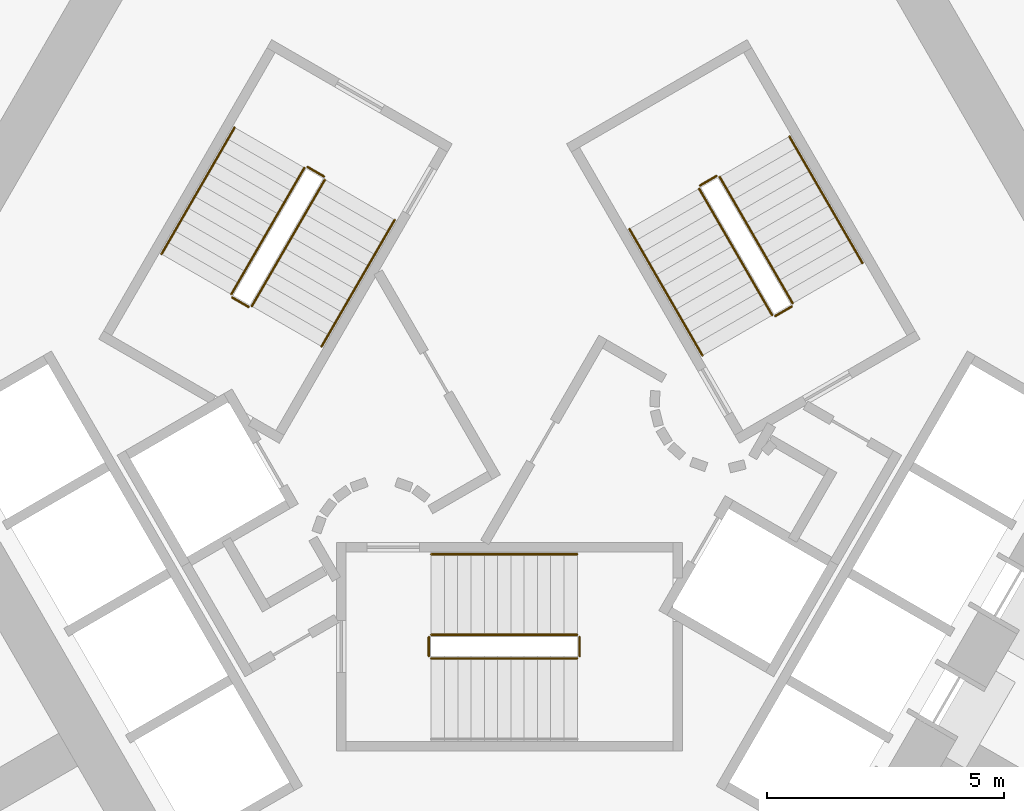
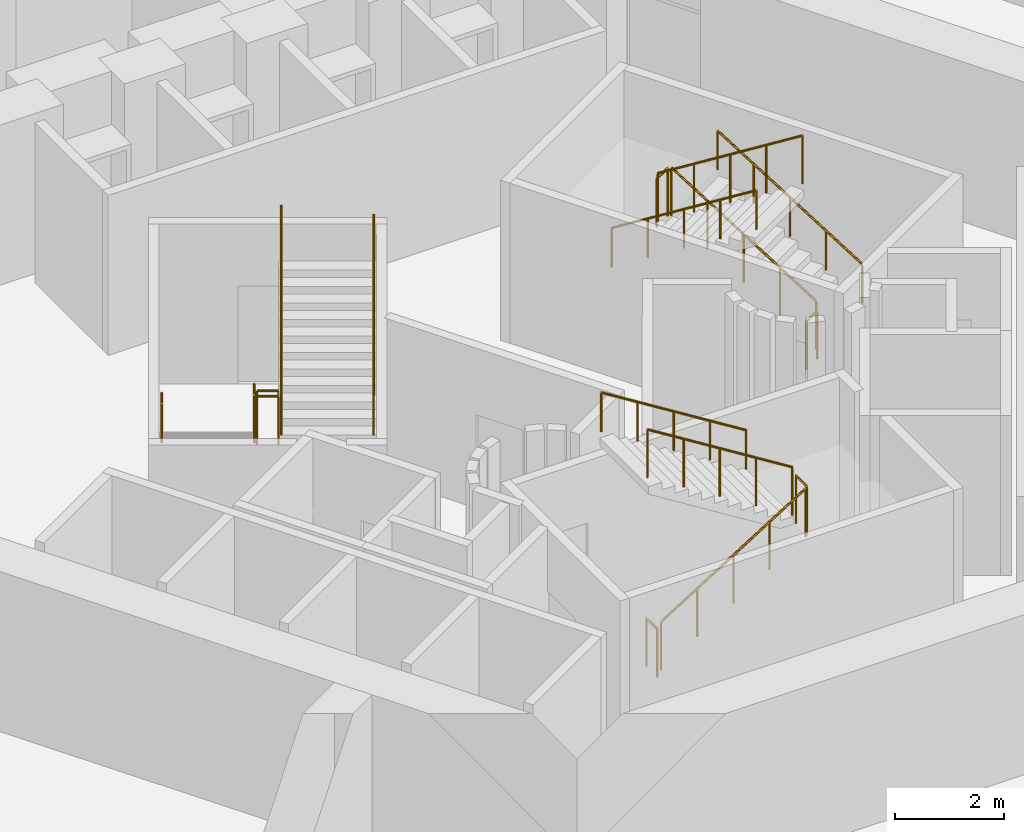
# One storey, part 14 of 15: 17 railings.
"""IFC4 building model written with IfcOpenShell, lengths in metres."""

from ifc_helpers import new_model, si_unit, direction, frame, origin, origin_2d, place, context, subcontext, project, spatial, circle, extrude, material, type_object, element, save


model = new_model("IFC4")

# Units and contexts
model_context = context("Model", 3, precision=1e-05, world=origin(), true_north=direction((0.0, 1.0)))
body_context = subcontext(model_context, "Body", "Model", "MODEL_VIEW")
ifc_project = project(units=[si_unit("LENGTHUNIT", "METRE"), si_unit("AREAUNIT", "SQUARE_METRE"), si_unit("VOLUMEUNIT", "CUBIC_METRE"), si_unit("PLANEANGLEUNIT", "RADIAN"), si_unit("MASSUNIT", "GRAM", prefix="KILO")], contexts=[model_context])

# Site, building, storey
site_placement = place(None, origin())
site = spatial("IfcSite", under=ifc_project, at=site_placement, CompositionType="ELEMENT")
building_placement = place(site_placement, origin())
building = spatial("IfcBuilding", under=site, at=building_placement, Name="Entoto Arch Interchange Tower", CompositionType="ELEMENT")
storey_placement = place(building_placement, frame((0.0, 0.0, 77.0)))
storey = spatial("IfcBuildingStorey", under=building, at=storey_placement, Name="L16", CompositionType="ELEMENT", Elevation=77.0)

# Railings
ifc_material = material(Name="Stainless steel 1.4301", Category="steel")
railing_type_1 = type_object("IfcRailingType", Name="STAIR GUARD 1100 STEEL", PredefinedType="GUARDRAIL", material=ifc_material)
railing_1_placement = place(storey_placement, frame((-1.64990234375, -3.449951171875, 0.175048828125)))
element("IfcRailing", 1, at=railing_1_placement, inside=storey, type_object=railing_type_1, Name="L16 ST-S stair guard 1", PredefinedType="GUARDRAIL", context=body_context, shape_type="SweptSolid", body=[
    extrude(circle(Radius=0.02392578125, at=origin_2d()), frame((0.0, 0.0, 1.076171875), z_axis=(0.847979421464, 0.0, 0.530029150871), x_axis=(0.0, 1.0, 0.0)), (0.0, 0.0, 1.0), 3.632080078125),
    extrude(circle(Radius=0.02099609375, at=origin_2d()), origin(), (0.0, 0.0, 1.0), 1.052001953125),
    extrude(circle(Radius=0.02099609375, at=origin_2d()), frame((0.77001953125, 0.0, 0.481201171875)), (0.0, 0.0, 1.0), 1.052001953125),
    extrude(circle(Radius=0.02099609375, at=origin_2d()), frame((1.5400390625, 0.0, 0.96240234375)), (0.0, 0.0, 1.0), 1.052001953125),
    extrude(circle(Radius=0.02099609375, at=origin_2d()), frame((2.309814453125, 0.0, 1.44384765625)), (0.0, 0.0, 1.0), 1.052001953125),
    extrude(circle(Radius=0.02099609375, at=origin_2d()), frame((3.079833984375, 0.0, 1.925048828125)), (0.0, 0.0, 1.0), 1.052001953125),
])
railing_2_placement = place(storey_placement, frame((1.47998046875, -3.39990234375, 2.10009765625)))
element("IfcRailing", 2, at=railing_2_placement, inside=storey, type_object=railing_type_1, Name="L16 ST-S stair guard 2", PredefinedType="GUARDRAIL", context=body_context, shape_type="SweptSolid", body=[
    extrude(circle(Radius=0.02392578125, at=origin_2d()), frame((0.0, 0.0, 1.076171875), z_axis=(0.0, 1.0, 0.0), x_axis=(-1.0, 0.0, 0.0)), (0.0, 0.0, 1.0), 0.39990234375),
    extrude(circle(Radius=0.02099609375, at=origin_2d()), origin(), (0.0, 0.0, 1.0), 1.052001953125),
    extrude(circle(Radius=0.02099609375, at=origin_2d()), frame((0.0, 0.39990234375, 0.0)), (0.0, 0.0, 1.0), 1.052001953125),
])
railing_3_placement = place(storey_placement, frame((1.429931640625, -2.949951171875, 2.27490234375)))
element("IfcRailing", 3, at=railing_3_placement, inside=storey, type_object=railing_type_1, Name="L16 ST-S stair guard 3", PredefinedType="GUARDRAIL", context=body_context, shape_type="SweptSolid", body=[
    extrude(circle(Radius=0.02392578125, at=origin_2d()), frame((0.0, 0.0, 1.076171875), z_axis=(-0.847979421464, 0.0, 0.530029150871), x_axis=(0.0, -1.0, 0.0)), (0.0, 0.0, 1.0), 3.632080078125),
    extrude(circle(Radius=0.02099609375, at=origin_2d()), origin(), (0.0, 0.0, 1.0), 1.052001953125),
    extrude(circle(Radius=0.02099609375, at=origin_2d()), frame((-0.77001953125, 0.0, 0.481201171875)), (0.0, 0.0, 1.0), 1.052001953125),
    extrude(circle(Radius=0.02099609375, at=origin_2d()), frame((-1.5400390625, 0.0, 0.96240234375)), (0.0, 0.0, 1.0), 1.052001953125),
    extrude(circle(Radius=0.02099609375, at=origin_2d()), frame((-2.309814453125, 0.0, 1.44384765625)), (0.0, 0.0, 1.0), 1.052001953125),
    extrude(circle(Radius=0.02099609375, at=origin_2d()), frame((-3.079833984375, 0.0, 1.925048828125)), (0.0, 0.0, 1.0), 1.052001953125),
])
railing_4_placement = place(storey_placement, frame((-1.699951171875, -3.39990234375, 0.0)))
element("IfcRailing", 4, at=railing_4_placement, inside=storey, type_object=railing_type_1, Name="L16 ST-S stair guard 4", PredefinedType="GUARDRAIL", context=body_context, shape_type="SweptSolid", body=[
    extrude(circle(Radius=0.02392578125, at=origin_2d()), frame((0.0, 0.0, 1.076171875), z_axis=(0.0, 1.0, 0.0), x_axis=(-1.0, 0.0, 0.0)), (0.0, 0.0, 1.0), 0.39990234375),
    extrude(circle(Radius=0.02099609375, at=origin_2d()), origin(), (0.0, 0.0, 1.0), 1.052001953125),
    extrude(circle(Radius=0.02099609375, at=origin_2d()), frame((0.0, 0.39990234375, 0.0)), (0.0, 0.0, 1.0), 1.052001953125),
])
railing_5_placement = place(storey_placement, frame((5.977783203125, 4.046142578125, 0.175048828125)))
element("IfcRailing", 5, at=railing_5_placement, inside=storey, type_object=railing_type_1, Name="L16 ST-NE stair guard 1", PredefinedType="GUARDRAIL", context=body_context, shape_type="SweptSolid", body=[
    extrude(circle(Radius=0.02392578125, at=origin_2d()), frame((0.0, 0.0, 1.076171875), z_axis=(-0.424015404183, 0.734364028329, 0.530019255228), x_axis=(-0.866010015463, -0.500026652407, 0.0)), (0.0, 0.0, 1.0), 3.632080078125),
    extrude(circle(Radius=0.02099609375, at=origin_2d()), origin(), (0.0, 0.0, 1.0), 1.052001953125),
    extrude(circle(Radius=0.02099609375, at=origin_2d()), frame((-0.385009765625, 0.666748046875, 0.481201171875)), (0.0, 0.0, 1.0), 1.052001953125),
    extrude(circle(Radius=0.02099609375, at=origin_2d()), frame((-0.77001953125, 1.33349609375, 0.96240234375)), (0.0, 0.0, 1.0), 1.052001953125),
    extrude(circle(Radius=0.02099609375, at=origin_2d()), frame((-1.155029296875, 2.00048828125, 1.44384765625)), (0.0, 0.0, 1.0), 1.052001953125),
    extrude(circle(Radius=0.02099609375, at=origin_2d()), frame((-1.5400390625, 2.667236328125, 1.925048828125)), (0.0, 0.0, 1.0), 1.052001953125),
])
railing_6_placement = place(storey_placement, frame((4.36962890625, 6.731689453125, 2.10009765625)))
element("IfcRailing", 6, at=railing_6_placement, inside=storey, type_object=railing_type_1, Name="L16 ST-NE stair guard 2", PredefinedType="GUARDRAIL", context=body_context, shape_type="SweptSolid", body=[
    extrude(circle(Radius=0.02392578125, at=origin_2d()), frame((0.0, 0.0, 1.076171875), z_axis=(-0.866094119867, -0.499880961361, 0.0), x_axis=(0.499880961361, -0.866094119867, 0.0)), (0.0, 0.0, 1.0), 0.39990234375),
    extrude(circle(Radius=0.02099609375, at=origin_2d()), origin(), (0.0, 0.0, 1.0), 1.052001953125),
    extrude(circle(Radius=0.02099609375, at=origin_2d()), frame((-0.346435546875, -0.199951171875, 0.0)), (0.0, 0.0, 1.0), 1.052001953125),
])
railing_7_placement = place(storey_placement, frame((4.0048828125, 6.46337890625, 2.27490234375)))
element("IfcRailing", 7, at=railing_7_placement, inside=storey, type_object=railing_type_1, Name="L16 ST-NE stair guard 3", PredefinedType="GUARDRAIL", context=body_context, shape_type="SweptSolid", body=[
    extrude(circle(Radius=0.02392578125, at=origin_2d()), frame((0.0, 0.0, 1.076171875), z_axis=(0.424015404183, -0.734364028329, 0.530019255228), x_axis=(0.866010015463, 0.500026652407, 0.0)), (0.0, 0.0, 1.0), 3.632080078125),
    extrude(circle(Radius=0.02099609375, at=origin_2d()), origin(), (0.0, 0.0, 1.0), 1.052001953125),
    extrude(circle(Radius=0.02099609375, at=origin_2d()), frame((0.385009765625, -0.666748046875, 0.481201171875)), (0.0, 0.0, 1.0), 1.052001953125),
    extrude(circle(Radius=0.02099609375, at=origin_2d()), frame((0.77001953125, -1.33349609375, 0.96240234375)), (0.0, 0.0, 1.0), 1.052001953125),
    extrude(circle(Radius=0.02099609375, at=origin_2d()), frame((1.155029296875, -2.00048828125, 1.44384765625)), (0.0, 0.0, 1.0), 1.052001953125),
    extrude(circle(Radius=0.02099609375, at=origin_2d()), frame((1.5400390625, -2.667236328125, 1.925048828125)), (0.0, 0.0, 1.0), 1.052001953125),
])
railing_8_placement = place(storey_placement, frame((5.95947265625, 3.977783203125, 0.0)))
element("IfcRailing", 8, at=railing_8_placement, inside=storey, type_object=railing_type_1, Name="L16 ST-NE stair guard 4", PredefinedType="GUARDRAIL", context=body_context, shape_type="SweptSolid", body=[
    extrude(circle(Radius=0.02392578125, at=origin_2d()), frame((0.0, 0.0, 1.076171875), z_axis=(-0.866094119867, -0.499880961361, 0.0), x_axis=(0.499880961361, -0.866094119867, 0.0)), (0.0, 0.0, 1.0), 0.39990234375),
    extrude(circle(Radius=0.02099609375, at=origin_2d()), origin(), (0.0, 0.0, 1.0), 1.052001953125),
    extrude(circle(Radius=0.02099609375, at=origin_2d()), frame((-0.346435546875, -0.199951171875, 0.0)), (0.0, 0.0, 1.0), 1.052001953125),
])
railing_9_placement = place(storey_placement, frame((-4.327880859375, 6.904052734375, 0.175048828125)))
element("IfcRailing", 9, at=railing_9_placement, inside=storey, type_object=railing_type_1, Name="L16 ST-NW stair guard 1", PredefinedType="GUARDRAIL", context=body_context, shape_type="SweptSolid", body=[
    extrude(circle(Radius=0.02392578125, at=origin_2d()), frame((0.0, 0.0, 1.076171875), z_axis=(-0.423994474112, -0.734394994316, 0.52999309264), x_axis=(0.866029832698, -0.499992328818, 0.0)), (0.0, 0.0, 1.0), 3.63232421875),
    extrude(circle(Radius=0.02099609375, at=origin_2d()), origin(), (0.0, 0.0, 1.0), 1.052001953125),
    extrude(circle(Radius=0.02099609375, at=origin_2d()), frame((-0.385009765625, -0.6669921875, 0.481201171875)), (0.0, 0.0, 1.0), 1.052001953125),
    extrude(circle(Radius=0.02099609375, at=origin_2d()), frame((-0.77001953125, -1.333740234375, 0.96240234375)), (0.0, 0.0, 1.0), 1.052001953125),
    extrude(circle(Radius=0.02099609375, at=origin_2d()), frame((-1.155029296875, -2.00048828125, 1.44384765625)), (0.0, 0.0, 1.0), 1.052001953125),
    extrude(circle(Radius=0.02099609375, at=origin_2d()), frame((-1.5400390625, -2.66748046875, 1.925048828125)), (0.0, 0.0, 1.0), 1.052001953125),
])
railing_10_placement = place(storey_placement, frame((-5.849609375, 4.168212890625, 2.10009765625)))
element("IfcRailing", 10, at=railing_10_placement, inside=storey, type_object=railing_type_1, Name="L16 ST-NW stair guard 2", PredefinedType="GUARDRAIL", context=body_context, shape_type="SweptSolid", body=[
    extrude(circle(Radius=0.02392578125, at=origin_2d()), frame((0.0, 0.0, 1.076171875), z_axis=(0.866094119867, -0.499880961361, 0.0), x_axis=(0.499880961361, 0.866094119867, 0.0)), (0.0, 0.0, 1.0), 0.39990234375),
    extrude(circle(Radius=0.02099609375, at=origin_2d()), origin(), (0.0, 0.0, 1.0), 1.052001953125),
    extrude(circle(Radius=0.02099609375, at=origin_2d()), frame((0.346435546875, -0.199951171875, 0.0)), (0.0, 0.0, 1.0), 1.052001953125),
])
railing_11_placement = place(storey_placement, frame((-5.434814453125, 3.986572265625, 2.27490234375)))
element("IfcRailing", 11, at=railing_11_placement, inside=storey, type_object=railing_type_1, Name="L16 ST-NW stair guard 3", PredefinedType="GUARDRAIL", context=body_context, shape_type="SweptSolid", body=[
    extrude(circle(Radius=0.02392578125, at=origin_2d()), frame((0.0, 0.0, 1.076171875), z_axis=(0.423994474112, 0.734394994316, 0.52999309264), x_axis=(-0.866029832698, 0.499992328818, 0.0)), (0.0, 0.0, 1.0), 3.63232421875),
    extrude(circle(Radius=0.02099609375, at=origin_2d()), origin(), (0.0, 0.0, 1.0), 1.052001953125),
    extrude(circle(Radius=0.02099609375, at=origin_2d()), frame((0.385009765625, 0.6669921875, 0.481201171875)), (0.0, 0.0, 1.0), 1.052001953125),
    extrude(circle(Radius=0.02099609375, at=origin_2d()), frame((0.77001953125, 1.333740234375, 0.96240234375)), (0.0, 0.0, 1.0), 1.052001953125),
    extrude(circle(Radius=0.02099609375, at=origin_2d()), frame((1.155029296875, 2.00048828125, 1.44384765625)), (0.0, 0.0, 1.0), 1.052001953125),
    extrude(circle(Radius=0.02099609375, at=origin_2d()), frame((1.5400390625, 2.66748046875, 1.925048828125)), (0.0, 0.0, 1.0), 1.052001953125),
])
railing_12_placement = place(storey_placement, frame((-4.259521484375, 6.92236328125, 0.0)))
element("IfcRailing", 12, at=railing_12_placement, inside=storey, type_object=railing_type_1, Name="L16 ST-NW stair guard 4", PredefinedType="GUARDRAIL", context=body_context, shape_type="SweptSolid", body=[
    extrude(circle(Radius=0.02392578125, at=origin_2d()), frame((0.0, 0.0, 1.076171875), z_axis=(0.865829829939, -0.500338590944, 0.0), x_axis=(0.500338590944, 0.865829829939, 0.0)), (0.0, 0.0, 1.0), 0.400146484375),
    extrude(circle(Radius=0.02099609375, at=origin_2d()), origin(), (0.0, 0.0, 1.0), 1.052001953125),
    extrude(circle(Radius=0.02099609375, at=origin_2d()), frame((0.346435546875, -0.2001953125, 0.0)), (0.0, 0.0, 1.0), 1.052001953125),
])
railing_type_2 = type_object("IfcRailingType", Name="STAIR HANDRAIL 900 STEEL", PredefinedType="HANDRAIL", material=ifc_material)
railing_13_placement = place(storey_placement, frame((1.429931640625, -1.25, 2.27490234375)))
element("IfcRailing", 13, at=railing_13_placement, inside=storey, type_object=railing_type_2, Name="L16 ST-S stair handrail 2", PredefinedType="HANDRAIL", context=body_context, shape_type="SweptSolid", body=[
    extrude(circle(Radius=0.02392578125, at=origin_2d()), frame((0.0, 0.0, 0.8759765625), z_axis=(-0.847979421464, 0.0, 0.530029150871), x_axis=(0.0, -1.0, 0.0)), (0.0, 0.0, 1.0), 3.632080078125),
    extrude(circle(Radius=0.02099609375, at=origin_2d()), origin(), (0.0, 0.0, 1.0), 0.851806640625),
    extrude(circle(Radius=0.02099609375, at=origin_2d()), frame((-0.77001953125, 0.0, 0.481201171875)), (0.0, 0.0, 1.0), 0.851806640625),
    extrude(circle(Radius=0.02099609375, at=origin_2d()), frame((-1.5400390625, 0.0, 0.96240234375)), (0.0, 0.0, 1.0), 0.851806640625),
    extrude(circle(Radius=0.02099609375, at=origin_2d()), frame((-2.309814453125, 0.0, 1.44384765625)), (0.0, 0.0, 1.0), 0.851806640625),
    extrude(circle(Radius=0.02099609375, at=origin_2d()), frame((-3.079833984375, 0.0, 1.925048828125)), (0.0, 0.0, 1.0), 0.851806640625),
])
railing_14_placement = place(storey_placement, frame((7.4501953125, 4.89599609375, 0.175048828125)))
element("IfcRailing", 14, at=railing_14_placement, inside=storey, type_object=railing_type_2, Name="L16 ST-NE stair handrail 1", PredefinedType="HANDRAIL", context=body_context, shape_type="SweptSolid", body=[
    extrude(circle(Radius=0.02392578125, at=origin_2d()), frame((0.0, 0.0, 0.8759765625), z_axis=(-0.423994474112, 0.734394994316, 0.52999309264), x_axis=(-0.866029832698, -0.499992328818, 0.0)), (0.0, 0.0, 1.0), 3.63232421875),
    extrude(circle(Radius=0.02099609375, at=origin_2d()), origin(), (0.0, 0.0, 1.0), 0.851806640625),
    extrude(circle(Radius=0.02099609375, at=origin_2d()), frame((-0.385009765625, 0.6669921875, 0.481201171875)), (0.0, 0.0, 1.0), 0.851806640625),
    extrude(circle(Radius=0.02099609375, at=origin_2d()), frame((-0.77001953125, 1.333740234375, 0.96240234375)), (0.0, 0.0, 1.0), 0.851806640625),
    extrude(circle(Radius=0.02099609375, at=origin_2d()), frame((-1.155029296875, 2.00048828125, 1.44384765625)), (0.0, 0.0, 1.0), 0.851806640625),
    extrude(circle(Radius=0.02099609375, at=origin_2d()), frame((-1.5400390625, 2.66748046875, 1.925048828125)), (0.0, 0.0, 1.0), 0.851806640625),
])
railing_15_placement = place(storey_placement, frame((2.53271484375, 5.613525390625, 2.27490234375)))
element("IfcRailing", 15, at=railing_15_placement, inside=storey, type_object=railing_type_2, Name="L16 ST-NE stair handrail 2", PredefinedType="HANDRAIL", context=body_context, shape_type="SweptSolid", body=[
    extrude(circle(Radius=0.02392578125, at=origin_2d()), frame((0.0, 0.0, 0.8759765625), z_axis=(0.423939339791, -0.734415923031, 0.53000819633), x_axis=(0.866064153644, 0.499932877268, 0.0)), (0.0, 0.0, 1.0), 3.632080078125),
    extrude(circle(Radius=0.02099609375, at=origin_2d()), origin(), (0.0, 0.0, 1.0), 0.851806640625),
    extrude(circle(Radius=0.02099609375, at=origin_2d()), frame((0.385009765625, -0.6669921875, 0.481201171875)), (0.0, 0.0, 1.0), 0.851806640625),
    extrude(circle(Radius=0.02099609375, at=origin_2d()), frame((0.77001953125, -1.333740234375, 0.96240234375)), (0.0, 0.0, 1.0), 0.851806640625),
    extrude(circle(Radius=0.02099609375, at=origin_2d()), frame((1.15478515625, -2.00048828125, 1.44384765625)), (0.0, 0.0, 1.0), 0.851806640625),
    extrude(circle(Radius=0.02099609375, at=origin_2d()), frame((1.539794921875, -2.66748046875, 1.925048828125)), (0.0, 0.0, 1.0), 0.851806640625),
])
railing_16_placement = place(storey_placement, frame((-5.800048828125, 7.75390625, 0.175048828125)))
element("IfcRailing", 16, at=railing_16_placement, inside=storey, type_object=railing_type_2, Name="L16 ST-NW stair handrail 1", PredefinedType="HANDRAIL", context=body_context, shape_type="SweptSolid", body=[
    extrude(circle(Radius=0.02392578125, at=origin_2d()), frame((0.0, 0.0, 0.8759765625), z_axis=(-0.424015404183, -0.734364028329, 0.530019255228), x_axis=(0.866010015463, -0.500026652407, 0.0)), (0.0, 0.0, 1.0), 3.632080078125),
    extrude(circle(Radius=0.02099609375, at=origin_2d()), origin(), (0.0, 0.0, 1.0), 0.851806640625),
    extrude(circle(Radius=0.02099609375, at=origin_2d()), frame((-0.385009765625, -0.666748046875, 0.481201171875)), (0.0, 0.0, 1.0), 0.851806640625),
    extrude(circle(Radius=0.02099609375, at=origin_2d()), frame((-0.77001953125, -1.33349609375, 0.96240234375)), (0.0, 0.0, 1.0), 0.851806640625),
    extrude(circle(Radius=0.02099609375, at=origin_2d()), frame((-1.155029296875, -2.00048828125, 1.44384765625)), (0.0, 0.0, 1.0), 0.851806640625),
    extrude(circle(Radius=0.02099609375, at=origin_2d()), frame((-1.5400390625, -2.667236328125, 1.925048828125)), (0.0, 0.0, 1.0), 0.851806640625),
])
railing_17_placement = place(storey_placement, frame((-3.962646484375, 3.136474609375, 2.27490234375)))
element("IfcRailing", 17, at=railing_17_placement, inside=storey, type_object=railing_type_2, Name="L16 ST-NW stair handrail 2", PredefinedType="HANDRAIL", context=body_context, shape_type="SweptSolid", body=[
    extrude(circle(Radius=0.02392578125, at=origin_2d()), frame((0.0, 0.0, 0.8759765625), z_axis=(0.423994474112, 0.734394994316, 0.52999309264), x_axis=(-0.866029832698, 0.499992328818, 0.0)), (0.0, 0.0, 1.0), 3.63232421875),
    extrude(circle(Radius=0.02099609375, at=origin_2d()), origin(), (0.0, 0.0, 1.0), 0.851806640625),
    extrude(circle(Radius=0.02099609375, at=origin_2d()), frame((0.385009765625, 0.6669921875, 0.481201171875)), (0.0, 0.0, 1.0), 0.851806640625),
    extrude(circle(Radius=0.02099609375, at=origin_2d()), frame((0.77001953125, 1.333740234375, 0.96240234375)), (0.0, 0.0, 1.0), 0.851806640625),
    extrude(circle(Radius=0.02099609375, at=origin_2d()), frame((1.155029296875, 2.00048828125, 1.44384765625)), (0.0, 0.0, 1.0), 0.851806640625),
    extrude(circle(Radius=0.02099609375, at=origin_2d()), frame((1.5400390625, 2.66748046875, 1.925048828125)), (0.0, 0.0, 1.0), 0.851806640625),
])

save(model, "model.ifc")
